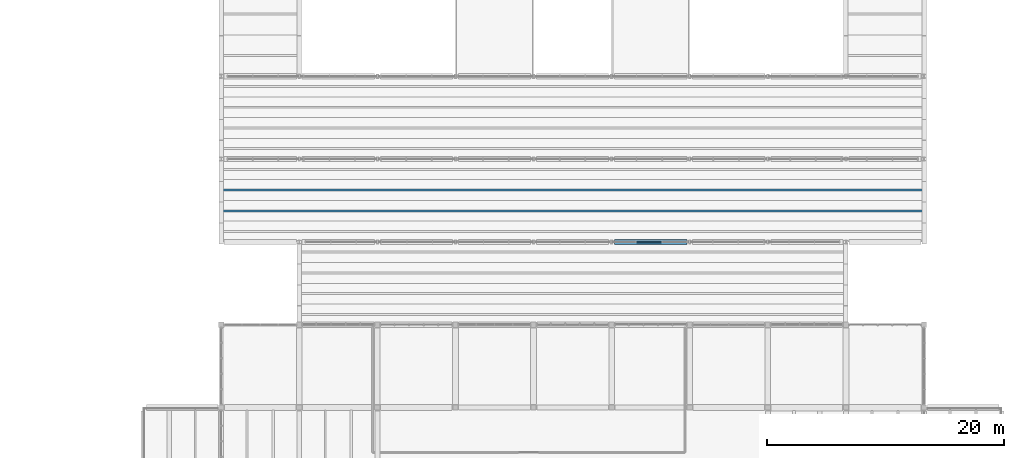
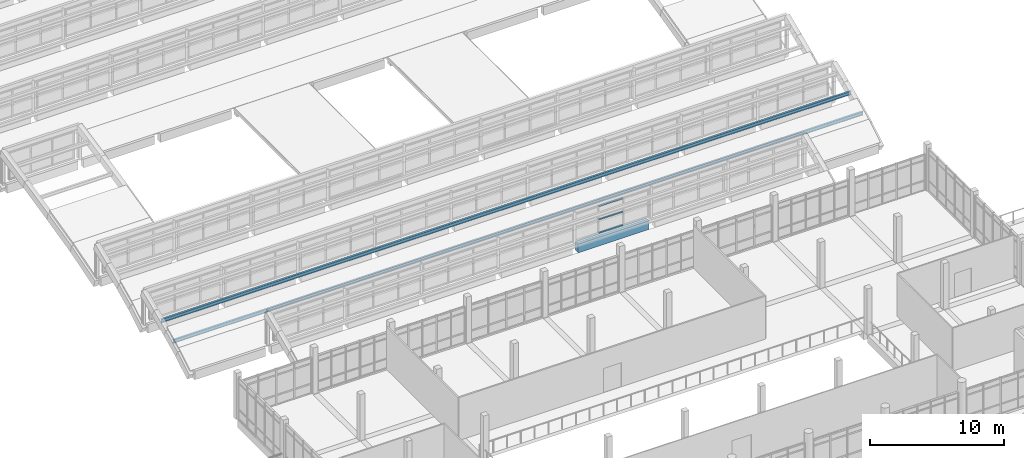
# One storey, part 23 of 92: 5 members, 1 beam, 1 element without a shape of its own.
"""IFC4 building model written with IfcOpenShell, lengths in metres."""

from ifc_helpers import new_model, si_unit, direction, frame, origin, origin_2d, place, context, subcontext, project, spatial, rectangle, i_section, extrude, material, material_profile, profile_set, type_object, element, aggregate, save


model = new_model("IFC4")

# Units and contexts
model_context = context("Model", 3, precision=1e-05, world=origin(), true_north=direction((0.0, 1.0)))
body_context = subcontext(model_context, "Body", "Model", "MODEL_VIEW")
ifc_project = project(units=[si_unit("LENGTHUNIT", "METRE"), si_unit("AREAUNIT", "SQUARE_METRE"), si_unit("VOLUMEUNIT", "CUBIC_METRE"), si_unit("PLANEANGLEUNIT", "RADIAN"), si_unit("MASSUNIT", "GRAM", prefix="KILO")], contexts=[model_context])

# Site, building, storey
site_placement = place(None, origin())
site = spatial("IfcSite", under=ifc_project, at=site_placement, CompositionType="ELEMENT")
building_placement = place(site_placement, origin())
building = spatial("IfcBuilding", under=site, at=building_placement, Name="Ciguamira Faculty of Natural Sciences", CompositionType="ELEMENT")
storey_placement = place(building_placement, frame((0.0, 0.0, 16.800048828125)))
storey = spatial("IfcBuildingStorey", under=building, at=storey_placement, Name="L04", CompositionType="ELEMENT", Elevation=16.800048828125)

# Curtain wall, members
ifc_material_1 = material(Name="Anodized aluminium curtain wall", Category="aluminium")
curtain_wall_type = type_object("IfcCurtainWallType", Name="CurtainWall_CW-02", PredefinedType="USERDEFINED", material=ifc_material_1)
curtain_wall_placement = place(storey_placement, origin())
curtain_wall = element("IfcCurtainWall", 1, at=curtain_wall_placement, inside=storey, type_object=curtain_wall_type, Name="V4 north-light wave 1 clerestory glazing 1", ObjectType="UNITISED CURTAIN WALL", PredefinedType="USERDEFINED")
ifc_material_2 = material(Name="Anodized aluminium transom", Category="aluminium")
ifc_material_profile_1 = material_profile(ifc_material_2, rectangle(XDim=0.070068359375, YDim=0.139892578125, at=origin_2d()), Name="ALU-TRN-70X140")
ifc_profile_set_1 = profile_set([ifc_material_profile_1], Name="Anodized aluminium transom")
member_type_1 = type_object("IfcMemberType", Name="CWTransom_CWT-02", PredefinedType="USERDEFINED", material=ifc_profile_set_1)
member_1_placement = place(storey_placement, frame((92.416015625, 45.0, 0.284912109375), z_axis=(1.0, 0.0, 0.0), x_axis=(0.0, 0.0, 1.0)))
member_1 = element("IfcMember", 2, at=member_1_placement, type_object=member_type_1, Name="CW-02 transom 14.1", ObjectType="TRANSOM", PredefinedType="USERDEFINED", context=body_context, shape_type="SweptSolid", body=[
    extrude(rectangle(XDim=0.070068359375, YDim=0.139892578125, at=origin_2d()), origin(), (0.0, 0.0, 1.0), 2.082275390625),
])
member_2_placement = place(storey_placement, frame((92.416015625, 45.0, 1.5), z_axis=(1.0, 0.0, 0.0), x_axis=(0.0, 0.0, 1.0)))
member_2 = element("IfcMember", 3, at=member_2_placement, type_object=member_type_1, Name="CW-02 transom 14.2", ObjectType="TRANSOM", PredefinedType="USERDEFINED", context=body_context, shape_type="SweptSolid", body=[
    extrude(rectangle(XDim=0.070068359375, YDim=0.139892578125, at=origin_2d()), origin(), (0.0, 0.0, 1.0), 2.082275390625),
])
member_3_placement = place(storey_placement, frame((92.416015625, 45.0, 2.71484375), z_axis=(1.0, 0.0, 0.0), x_axis=(0.0, 0.0, 1.0)))
member_3 = element("IfcMember", 4, at=member_3_placement, type_object=member_type_1, Name="CW-02 transom 14.3", ObjectType="TRANSOM", PredefinedType="USERDEFINED", context=body_context, shape_type="SweptSolid", body=[
    extrude(rectangle(XDim=0.070068359375, YDim=0.139892578125, at=origin_2d()), origin(), (0.0, 0.0, 1.0), 2.082275390625),
])
aggregate(curtain_wall, [member_1, member_2, member_3])

# Beam
ifc_material_3 = material(Name="Concrete C40/50", Category="concrete")
ifc_material_profile_2 = material_profile(ifc_material_3, rectangle(XDim=0.43994140625, YDim=0.780029296875, at=origin_2d()), Name="RC-BM-440X780")
ifc_profile_set_2 = profile_set([ifc_material_profile_2], Name="Concrete C40/50")
beam_type = type_object("IfcBeamType", Name="RCBeam_BG-06_RC-BM-440X780", PredefinedType="BEAM", material=ifc_profile_set_2)
beam_placement = place(storey_placement, frame((90.550048828125, 45.0, -0.39013671875), z_axis=(1.0, 0.0, 0.0), x_axis=(0.0, 1.0, 0.0)))
element("IfcBeam", 5, at=beam_placement, inside=storey, type_object=beam_type, Name="V4 north-light wave 1 RC valley beam NVL-1-5", PredefinedType="BEAM", context=body_context, shape_type="SweptSolid", body=[
    extrude(rectangle(XDim=0.43994140625, YDim=0.780029296875, at=origin_2d()), origin(), (0.0, 0.0, 1.0), 6.099853515625),
])

# Members
ifc_material_4 = material(Name="Steel ASTM A992 Grade 50", Category="steel")
ifc_material_profile_3 = material_profile(ifc_material_4, i_section(OverallWidth=0.164794921875, OverallDepth=0.309814453125, WebThickness=0.005859375, FlangeThickness=0.009765625, at=origin_2d()), Name="W12X26")
ifc_profile_set_3 = profile_set([ifc_material_profile_3], Name="Steel ASTM A992 Grade 50")
member_type_2 = type_object("IfcMemberType", Name="SteelMember_PR-02_W12X26", PredefinedType="PURLIN", material=ifc_profile_set_3)
for number, where, z_axis, x_axis, name in (
    (6, (57.300048828125, 47.625, 1.091552734375), (1.0, 0.0, 0.0), (0.0, 1.0, 0.0), "V4 wave roof steel purlin 2-1-2"),
    (7, (57.300048828125, 49.375, 1.8994140625), (1.0, 0.0, 0.0), (0.0, 1.0, 0.0), "V4 wave roof steel purlin 2-1-3"),
):
    element("IfcMember", number, at=place(storey_placement, frame(where, z_axis=z_axis, x_axis=x_axis)), inside=storey, type_object=member_type_2, Name=name, PredefinedType="PURLIN", context=body_context, shape_type="SweptSolid", body=[
        extrude(i_section(OverallWidth=0.164794921875, OverallDepth=0.309814453125, WebThickness=0.005859375, FlangeThickness=0.009765625, at=origin_2d()), origin(), (0.0, 0.0, 1.0), 59.39990234375),
    ])

save(model, "model.ifc")
